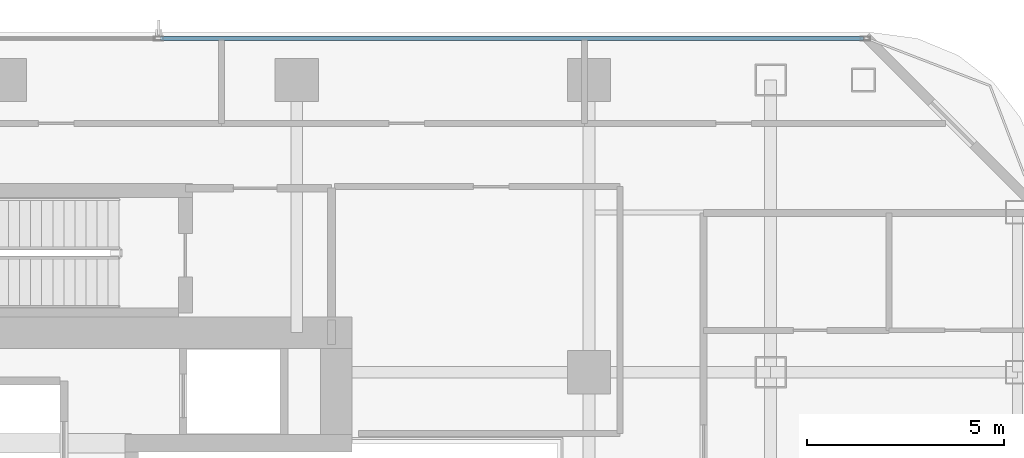
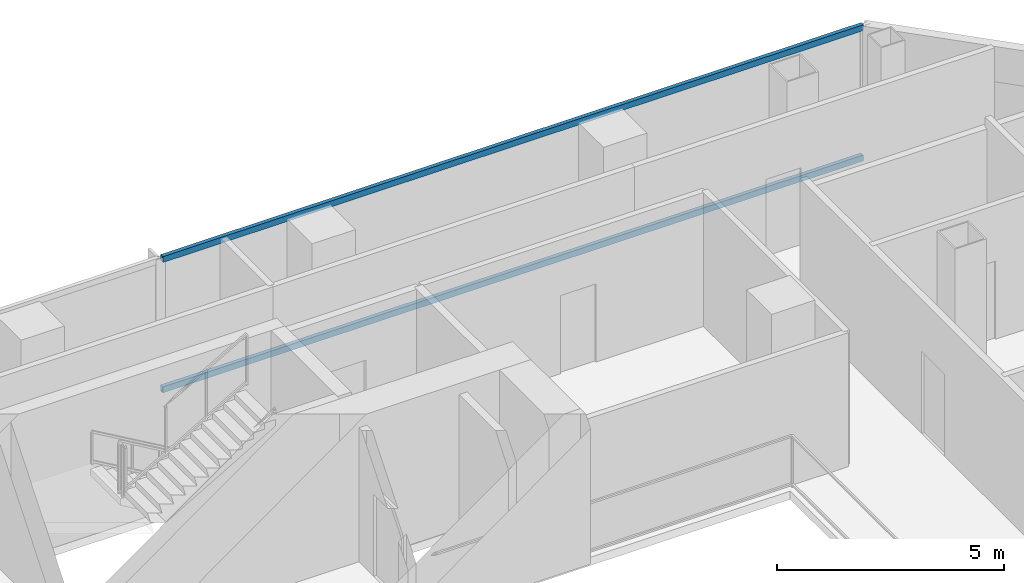
# One storey, part 17 of 27: 2 members, 1 element without a shape of its own.
"""IFC4 building model written with IfcOpenShell, lengths in metres."""

from ifc_helpers import new_model, si_unit, direction, frame, origin, origin_2d, place, context, subcontext, project, spatial, hollow_rectangle, extrude, material, layer, layer_set, material_profile, profile_set, type_object, element, aggregate, save


model = new_model("IFC4")

# Units and contexts
model_context = context("Model", 3, precision=1e-05, world=origin(), true_north=direction((0.0, 1.0)))
body_context = subcontext(model_context, "Body", "Model", "MODEL_VIEW")
ifc_project = project(units=[si_unit("LENGTHUNIT", "METRE"), si_unit("AREAUNIT", "SQUARE_METRE"), si_unit("VOLUMEUNIT", "CUBIC_METRE"), si_unit("PLANEANGLEUNIT", "RADIAN"), si_unit("MASSUNIT", "GRAM", prefix="KILO")], contexts=[model_context])

# Site, building, storey
site_placement = place(None, origin())
site = spatial("IfcSite", under=ifc_project, at=site_placement, CompositionType="ELEMENT")
building_placement = place(site_placement, origin())
building = spatial("IfcBuilding", under=site, at=building_placement, Name="Khorvyn Point Tower", CompositionType="ELEMENT")
storey_placement = place(building_placement, frame((0.0, 0.0, 231.300048828125)))
storey = spatial("IfcBuildingStorey", under=building, at=storey_placement, Name="L57", CompositionType="ELEMENT", Elevation=231.300048828125)

# Curtain wall, members
ifc_material_1 = material(Name="Anodised aluminium 6063-T6 and laminated Low-E glass", Category="aluminium")
ifc_layer = layer(ifc_material_1, 0.18994140625)
ifc_layer_set = layer_set([ifc_layer], Name="Stick-Built Acoustic Curtain Wall CW-SYS-03")
curtain_wall_type = type_object("IfcCurtainWallType", Name="Stick-Built Acoustic Curtain Wall CW-SYS-03", PredefinedType="NOTDEFINED", material=ifc_layer_set)
curtain_wall_placement = place(storey_placement, origin())
curtain_wall = element("IfcCurtainWall", 1, at=curtain_wall_placement, inside=storey, type_object=curtain_wall_type, Name="Curtain Wall", PredefinedType="NOTDEFINED")
ifc_material_2 = material(Name="Anodised aluminium 6063-T6", Category="aluminium")
ifc_material_profile = material_profile(ifc_material_2, hollow_rectangle(XDim=0.10009765625, YDim=0.159912109375, WallThickness=0.00439453125, at=origin_2d()))
ifc_profile_set = profile_set([ifc_material_profile], Name="Anodised aluminium 6063-T6 ALU-TRN-100x160")
member_type = type_object("IfcMemberType", Name="Anodised Aluminium 6063-T6 Transom ALU-TRN-100x160", PredefinedType="USERDEFINED", material=ifc_profile_set)
member_1_placement = place(storey_placement, frame((3.949951171875, 15.85009765625, 0.050048828125), z_axis=(1.0, 0.0, 0.0), x_axis=(0.0, 1.0, 0.0)))
member_1 = element("IfcMember", 2, at=member_1_placement, type_object=member_type, Name="Transom", ObjectType="TRANSOM", PredefinedType="USERDEFINED", context=body_context, shape_type="SweptSolid", body=[
    extrude(hollow_rectangle(XDim=0.10009765625, YDim=0.159912109375, WallThickness=0.00439453125, at=origin_2d()), origin(), (0.0, 0.0, 1.0), 17.800048828125),
])
member_2_placement = place(storey_placement, frame((3.949951171875, 15.85009765625, 3.550048828125), z_axis=(1.0, 0.0, 0.0), x_axis=(0.0, 1.0, 0.0)))
member_2 = element("IfcMember", 3, at=member_2_placement, type_object=member_type, Name="Transom", ObjectType="TRANSOM", PredefinedType="USERDEFINED", context=body_context, shape_type="SweptSolid", body=[
    extrude(hollow_rectangle(XDim=0.10009765625, YDim=0.159912109375, WallThickness=0.00439453125, at=origin_2d()), origin(), (0.0, 0.0, 1.0), 17.800048828125),
])
aggregate(curtain_wall, [member_1, member_2])

save(model, "model.ifc")
